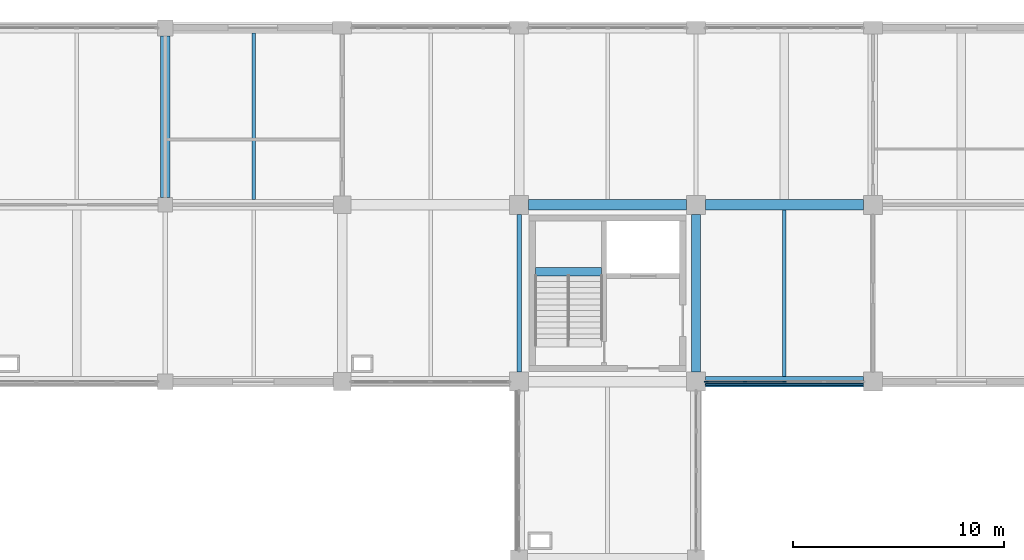
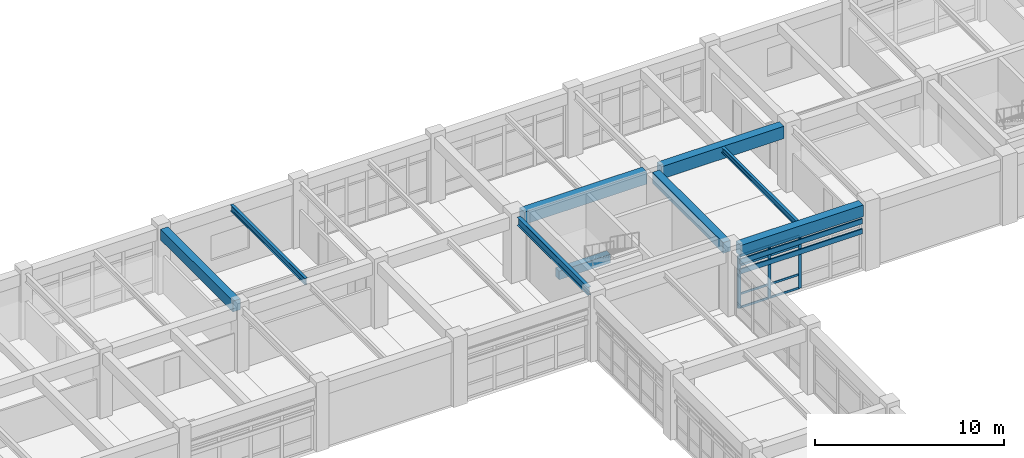
# One storey, part 30 of 99: 13 members, 9 beams, 1 element without a shape of its own.
"""IFC4 building model written with IfcOpenShell, lengths in metres."""

from ifc_helpers import new_model, si_unit, direction, frame, origin, origin_2d, place, context, subcontext, project, spatial, rectangle, i_section, extrude, material, layer, layer_set, material_profile, profile_set, type_object, element, aggregate, save


model = new_model("IFC4")

# Units and contexts
model_context = context("Model", 3, precision=1e-05, world=origin(), true_north=direction((0.0, 1.0)))
body_context = subcontext(model_context, "Body", "Model", "MODEL_VIEW")
ifc_project = project(units=[si_unit("LENGTHUNIT", "METRE"), si_unit("AREAUNIT", "SQUARE_METRE"), si_unit("VOLUMEUNIT", "CUBIC_METRE"), si_unit("PLANEANGLEUNIT", "RADIAN"), si_unit("MASSUNIT", "GRAM", prefix="KILO")], contexts=[model_context])

# Site, building, storey
site_placement = place(None, origin())
site = spatial("IfcSite", under=ifc_project, at=site_placement, CompositionType="ELEMENT")
building_placement = place(site_placement, origin())
building = spatial("IfcBuilding", under=site, at=building_placement, Name="Porcellanite Civic Hall", CompositionType="ELEMENT")
storey_placement = place(building_placement, frame((0.0, 0.0, 5.760009765625)))
storey = spatial("IfcBuildingStorey", under=building, at=storey_placement, Name="L01", CompositionType="ELEMENT", Elevation=5.760009765625)

# Beams
ifc_material_1 = material(Name="Concrete N50 (50 MPa)", Category="concrete")
ifc_material_profile_1 = material_profile(ifc_material_1, rectangle(XDim=0.39990234375, YDim=0.550048828125, at=origin_2d()), Name="RC-400x550")
ifc_profile_set_1 = profile_set([ifc_material_profile_1], Name="Concrete N50 (50 MPa)")
beam_type_1 = type_object("IfcBeamType", Name="BM-RC550", PredefinedType="JOIST", material=ifc_profile_set_1)
beam_1_placement = place(storey_placement, frame((51.180419921875, 106.02490234375, 1.885009765625), z_axis=(1.0, 0.0, 0.0), x_axis=(0.0, 1.0, 0.0)))
element("IfcBeam", 1, at=beam_1_placement, inside=storey, type_object=beam_type_1, Name="Stair landing beam C3 L01", PredefinedType="JOIST", context=body_context, shape_type="SweptSolid", body=[
    extrude(rectangle(XDim=0.39990234375, YDim=0.550048828125, at=origin_2d()), origin(), (0.0, 0.0, 1.0), 3.13916015625),
])
ifc_material_2 = material(Name="Concrete N50 (50 MPa)", Category="concrete")
ifc_material_profile_2 = material_profile(ifc_material_2, rectangle(XDim=0.449951171875, YDim=0.699951171875, at=origin_2d()), Name="RC-450x700")
ifc_profile_set_2 = profile_set([ifc_material_profile_2], Name="Concrete N50 (50 MPa)")
beam_type_2 = type_object("IfcBeamType", Name="BM-RC700", PredefinedType="BEAM", material=ifc_profile_set_2)
beam_2_placement = place(storey_placement, frame((33.60009765625, 109.549560546875, 3.85009765625), z_axis=(0.0, 1.0, 0.0), x_axis=(-1.0, 0.0, 0.0)))
element("IfcBeam", 2, at=beam_2_placement, inside=storey, type_object=beam_type_2, Name="Beam Y L01 5-14", PredefinedType="BEAM", context=body_context, shape_type="SweptSolid", body=[
    extrude(rectangle(XDim=0.449951171875, YDim=0.699951171875, at=origin_2d()), origin(), (0.0, 0.0, 1.0), 7.676025390625),
])
beam_3_placement = place(storey_placement, frame((58.800048828125, 101.24951171875, 3.85009765625), z_axis=(0.0, 1.0, 0.0), x_axis=(-1.0, 0.0, 0.0)))
element("IfcBeam", 3, at=beam_3_placement, inside=storey, type_object=beam_type_2, Name="Beam Y L01 8-13", PredefinedType="BEAM", context=body_context, shape_type="SweptSolid", body=[
    extrude(rectangle(XDim=0.449951171875, YDim=0.699951171875, at=origin_2d()), origin(), (0.0, 0.0, 1.0), 7.5009765625),
])
ifc_material_3 = material(Name="Concrete N50 (50 MPa)", Category="concrete")
ifc_material_profile_3 = material_profile(ifc_material_3, rectangle(XDim=0.5, YDim=0.75, at=origin_2d()), Name="RC-500x750")
ifc_profile_set_3 = profile_set([ifc_material_profile_3], Name="Concrete N50 (50 MPa)")
beam_type_3 = type_object("IfcBeamType", Name="BM-RC750", PredefinedType="SPANDREL", material=ifc_profile_set_3)
beam_4_placement = place(storey_placement, frame((59.24951171875, 100.800048828125, 3.824951171875), z_axis=(1.0, 0.0, 0.0), x_axis=(0.0, 1.0, 0.0)))
element("IfcBeam", 4, at=beam_4_placement, inside=storey, type_object=beam_type_3, Name="Beam X L01 8-13", PredefinedType="SPANDREL", context=body_context, shape_type="SweptSolid", body=[
    extrude(rectangle(XDim=0.5, YDim=0.75, at=origin_2d()), origin(), (0.0, 0.0, 1.0), 7.5009765625),
])
ifc_material_4 = material(Name="Concrete N50 (50 MPa)", Category="concrete")
ifc_material_profile_4 = material_profile(ifc_material_4, rectangle(XDim=0.5, YDim=0.800048828125, at=origin_2d()), Name="RC-500x800")
ifc_profile_set_4 = profile_set([ifc_material_profile_4], Name="Concrete N50 (50 MPa)")
beam_type_4 = type_object("IfcBeamType", Name="BM-RC800", PredefinedType="BEAM", material=ifc_profile_set_4)
for number, where, z_axis, x_axis, name in (
    (5, (50.849609375, 109.199951171875, 3.800048828125), (1.0, 0.0, 0.0), (0.0, 1.0, 0.0), "Beam X L01 7-14"),
    (6, (59.24951171875, 109.199951171875, 3.800048828125), (1.0, 0.0, 0.0), (0.0, 1.0, 0.0), "Beam X L01 8-14"),
):
    element("IfcBeam", number, at=place(storey_placement, frame(where, z_axis=z_axis, x_axis=x_axis)), inside=storey, type_object=beam_type_4, Name=name, PredefinedType="BEAM", context=body_context, shape_type="SweptSolid", body=[
        extrude(rectangle(XDim=0.5, YDim=0.800048828125, at=origin_2d()), origin(), (0.0, 0.0, 1.0), 7.5009765625),
    ])

# Curtain wall, members
ifc_material_5 = material(Name="Anodised aluminium and solar laminated glass", Category="aluminium")
ifc_layer = layer(ifc_material_5, 0.179931640625)
ifc_layer_set = layer_set([ifc_layer], Name="Anodised aluminium and solar laminated glass")
curtain_wall_type = type_object("IfcCurtainWallType", Name="CW-SYS06", PredefinedType="NOTDEFINED", material=ifc_layer_set)
curtain_wall_placement = place(storey_placement, origin())
curtain_wall = element("IfcCurtainWall", 7, at=curtain_wall_placement, inside=storey, type_object=curtain_wall_type, Name="Curtain wall CW-086", PredefinedType="NOTDEFINED")
ifc_material_6 = material(Name="Anodised aluminium 6063-T6", Category="aluminium")
ifc_material_profile_5 = material_profile(ifc_material_6, rectangle(XDim=0.06494140625, YDim=0.179931640625, at=origin_2d()), Name="AL-65x180")
ifc_profile_set_5 = profile_set([ifc_material_profile_5], Name="Anodised aluminium 6063-T6")
member_type_1 = type_object("IfcMemberType", Name="CWM-06", PredefinedType="MULLION", material=ifc_profile_set_5)
member_1_placement = place(storey_placement, frame((63.0, 100.800048828125, 0.0), z_axis=(0.0, 0.0, 1.0), x_axis=(0.0, -1.0, 0.0)))
member_1 = element("IfcMember", 8, at=member_1_placement, type_object=member_type_1, Name="CW-086 mullion 3", PredefinedType="MULLION", context=body_context, shape_type="SweptSolid", body=[
    extrude(rectangle(XDim=0.06494140625, YDim=0.179931640625, at=origin_2d()), origin(), (0.0, 0.0, 1.0), 3.39990234375),
])
member_2_placement = place(storey_placement, frame((61.12548828125, 100.800048828125, 0.0), z_axis=(0.0, 0.0, 1.0), x_axis=(0.0, -1.0, 0.0)))
member_2 = element("IfcMember", 9, at=member_2_placement, type_object=member_type_1, Name="CW-086 mullion 4", PredefinedType="MULLION", context=body_context, shape_type="SweptSolid", body=[
    extrude(rectangle(XDim=0.06494140625, YDim=0.179931640625, at=origin_2d()), origin(), (0.0, 0.0, 1.0), 3.39990234375),
])
member_3_placement = place(storey_placement, frame((59.283447265625, 100.800048828125, 0.0), z_axis=(0.0, 0.0, 1.0), x_axis=(0.0, -1.0, 0.0)))
member_3 = element("IfcMember", 10, at=member_3_placement, type_object=member_type_1, Name="CW-086 mullion 5", PredefinedType="MULLION", context=body_context, shape_type="SweptSolid", body=[
    extrude(rectangle(XDim=0.06494140625, YDim=0.179931640625, at=origin_2d()), origin(), (0.0, 0.0, 1.0), 3.39990234375),
])
ifc_material_7 = material(Name="Anodised aluminium 6063-T6", Category="aluminium")
ifc_material_profile_6 = material_profile(ifc_material_7, rectangle(XDim=0.050048828125, YDim=0.139892578125, at=origin_2d()), Name="AL-50x140")
ifc_profile_set_6 = profile_set([ifc_material_profile_6], Name="Anodised aluminium 6063-T6")
member_type_2 = type_object("IfcMemberType", Name="CWT-06", PredefinedType="USERDEFINED", material=ifc_profile_set_6)
member_4_placement = place(storey_placement, frame((62.967529296875, 100.800048828125, 0.02490234375), z_axis=(-1.0, 0.0, 0.0), x_axis=(0.0, -1.0, 0.0)))
member_4 = element("IfcMember", 11, at=member_4_placement, type_object=member_type_2, Name="CW-086 transom 3.1", ObjectType="TRANSOM", PredefinedType="USERDEFINED", context=body_context, shape_type="SweptSolid", body=[
    extrude(rectangle(XDim=0.050048828125, YDim=0.139892578125, at=origin_2d()), origin(), (0.0, 0.0, 1.0), 1.8095703125),
])
member_5_placement = place(storey_placement, frame((62.967529296875, 100.800048828125, 0.89990234375), z_axis=(-1.0, 0.0, 0.0), x_axis=(0.0, -1.0, 0.0)))
member_5 = element("IfcMember", 12, at=member_5_placement, type_object=member_type_2, Name="CW-086 transom 3.2", ObjectType="TRANSOM", PredefinedType="USERDEFINED", context=body_context, shape_type="SweptSolid", body=[
    extrude(rectangle(XDim=0.050048828125, YDim=0.139892578125, at=origin_2d()), origin(), (0.0, 0.0, 1.0), 1.8095703125),
])
member_6_placement = place(storey_placement, frame((62.967529296875, 100.800048828125, 2.75), z_axis=(-1.0, 0.0, 0.0), x_axis=(0.0, -1.0, 0.0)))
member_6 = element("IfcMember", 13, at=member_6_placement, type_object=member_type_2, Name="CW-086 transom 3.3", ObjectType="TRANSOM", PredefinedType="USERDEFINED", context=body_context, shape_type="SweptSolid", body=[
    extrude(rectangle(XDim=0.050048828125, YDim=0.139892578125, at=origin_2d()), origin(), (0.0, 0.0, 1.0), 1.8095703125),
])
member_7_placement = place(storey_placement, frame((62.967529296875, 100.800048828125, 3.375), z_axis=(-1.0, 0.0, 0.0), x_axis=(0.0, -1.0, 0.0)))
member_7 = element("IfcMember", 14, at=member_7_placement, type_object=member_type_2, Name="CW-086 transom 3.4", ObjectType="TRANSOM", PredefinedType="USERDEFINED", context=body_context, shape_type="SweptSolid", body=[
    extrude(rectangle(XDim=0.050048828125, YDim=0.139892578125, at=origin_2d()), origin(), (0.0, 0.0, 1.0), 1.8095703125),
])
member_8_placement = place(storey_placement, frame((61.093017578125, 100.800048828125, 0.02490234375), z_axis=(-1.0, 0.0, 0.0), x_axis=(0.0, -1.0, 0.0)))
member_8 = element("IfcMember", 15, at=member_8_placement, type_object=member_type_2, Name="CW-086 transom 4.1", ObjectType="TRANSOM", PredefinedType="USERDEFINED", context=body_context, shape_type="SweptSolid", body=[
    extrude(rectangle(XDim=0.050048828125, YDim=0.139892578125, at=origin_2d()), origin(), (0.0, 0.0, 1.0), 1.777099609375),
])
member_9_placement = place(storey_placement, frame((61.093017578125, 100.800048828125, 0.89990234375), z_axis=(-1.0, 0.0, 0.0), x_axis=(0.0, -1.0, 0.0)))
member_9 = element("IfcMember", 16, at=member_9_placement, type_object=member_type_2, Name="CW-086 transom 4.2", ObjectType="TRANSOM", PredefinedType="USERDEFINED", context=body_context, shape_type="SweptSolid", body=[
    extrude(rectangle(XDim=0.050048828125, YDim=0.139892578125, at=origin_2d()), origin(), (0.0, 0.0, 1.0), 1.777099609375),
])
member_10_placement = place(storey_placement, frame((61.093017578125, 100.800048828125, 2.75), z_axis=(-1.0, 0.0, 0.0), x_axis=(0.0, -1.0, 0.0)))
member_10 = element("IfcMember", 17, at=member_10_placement, type_object=member_type_2, Name="CW-086 transom 4.3", ObjectType="TRANSOM", PredefinedType="USERDEFINED", context=body_context, shape_type="SweptSolid", body=[
    extrude(rectangle(XDim=0.050048828125, YDim=0.139892578125, at=origin_2d()), origin(), (0.0, 0.0, 1.0), 1.777099609375),
])
member_11_placement = place(storey_placement, frame((61.093017578125, 100.800048828125, 3.375), z_axis=(-1.0, 0.0, 0.0), x_axis=(0.0, -1.0, 0.0)))
member_11 = element("IfcMember", 18, at=member_11_placement, type_object=member_type_2, Name="CW-086 transom 4.4", ObjectType="TRANSOM", PredefinedType="USERDEFINED", context=body_context, shape_type="SweptSolid", body=[
    extrude(rectangle(XDim=0.050048828125, YDim=0.139892578125, at=origin_2d()), origin(), (0.0, 0.0, 1.0), 1.777099609375),
])
aggregate(curtain_wall, [member_1, member_2, member_3, member_4, member_5, member_6, member_7, member_8, member_9, member_10, member_11])

# Beams
ifc_material_8 = material(Name="Steel Grade 350", Category="steel")
ifc_material_profile_7 = material_profile(ifc_material_8, i_section(OverallWidth=0.1708984375, OverallDepth=0.35595703125, WebThickness=0.00732421875, FlangeThickness=0.011474609375, FilletRadius=0.011474609375, at=origin_2d()), Name="360UB50.7")
ifc_profile_set_7 = profile_set([ifc_material_profile_7], Name="Steel Grade 350")
beam_type_5 = type_object("IfcBeamType", Name="JST-360UB51", PredefinedType="JOIST", material=ifc_profile_set_7)
beam_5_placement = place(storey_placement, frame((63.0, 101.049560546875, 4.02197265625), z_axis=(0.0, 1.0, 0.0), x_axis=(-1.0, 0.0, 0.0)))
element("IfcBeam", 19, at=beam_5_placement, inside=storey, type_object=beam_type_5, Name="Secondary joist L01 8-13", PredefinedType="JOIST", context=body_context, shape_type="SweptSolid", body=[
    extrude(i_section(OverallWidth=0.1708984375, OverallDepth=0.35595703125, WebThickness=0.00732421875, FlangeThickness=0.011474609375, FilletRadius=0.011474609375, at=origin_2d()), origin(), (0.0, 0.0, 1.0), 7.90087890625),
])
ifc_material_9 = material(Name="Steel Grade 350", Category="steel")
ifc_material_profile_8 = material_profile(ifc_material_9, i_section(OverallWidth=0.177978515625, OverallDepth=0.403076171875, WebThickness=0.007568359375, FlangeThickness=0.010986328125, FilletRadius=0.011474609375, at=origin_2d()), Name="410UB53.7")
ifc_profile_set_8 = profile_set([ifc_material_profile_8], Name="Steel Grade 350")
beam_type_6 = type_object("IfcBeamType", Name="JST-410UB54", PredefinedType="JOIST", material=ifc_profile_set_8)
beam_6_placement = place(storey_placement, frame((37.800048828125, 109.449462890625, 3.99853515625), z_axis=(0.0, 1.0, 0.0), x_axis=(-1.0, 0.0, 0.0)))
element("IfcBeam", 20, at=beam_6_placement, inside=storey, type_object=beam_type_6, Name="Secondary joist L01 5-14", PredefinedType="JOIST", context=body_context, shape_type="SweptSolid", body=[
    extrude(i_section(OverallWidth=0.177978515625, OverallDepth=0.403076171875, WebThickness=0.007568359375, FlangeThickness=0.010986328125, FilletRadius=0.011474609375, at=origin_2d()), origin(), (0.0, 0.0, 1.0), 7.901123046875),
])

# Members
ifc_material_10 = material(Name="Fluoropolymer bauxite-red aluminium 6063-T6", Category="aluminium")
ifc_material_profile_9 = material_profile(ifc_material_10, rectangle(XDim=0.080078125, YDim=0.320068359375, at=origin_2d()), Name="AL-80x320")
ifc_profile_set_9 = profile_set([ifc_material_profile_9], Name="Fluoropolymer bauxite-red aluminium 6063-T6")
member_type_3 = type_object("IfcMemberType", Name="LV-BLD03", PredefinedType="USERDEFINED", material=ifc_profile_set_9)
for number, where, z_axis, x_axis, name in (
    (21, (66.75048828125, 100.66796875, 3.10009765625), (-1.0, 0.0, 0.0), (0.0, -1.0, 0.0), "Cyclone sunshade louvre L01 S 7-12 1"),
    (22, (66.75048828125, 100.66796875, 2.449951171875), (-1.0, 0.0, 0.0), (0.0, -1.0, 0.0), "Cyclone sunshade louvre L01 S 7-12 2"),
):
    element("IfcMember", number, at=place(storey_placement, frame(where, z_axis=z_axis, x_axis=x_axis)), inside=storey, type_object=member_type_3, Name=name, ObjectType="LOUVRE BLADE", PredefinedType="USERDEFINED", context=body_context, shape_type="SweptSolid", body=[
        extrude(rectangle(XDim=0.080078125, YDim=0.320068359375, at=origin_2d()), origin(), (0.0, 0.0, 1.0), 7.5009765625),
    ])

# Beam
ifc_material_11 = material(Name="Steel Grade 350", Category="steel")
ifc_material_profile_10 = material_profile(ifc_material_11, i_section(OverallWidth=0.208984375, OverallDepth=0.528076171875, WebThickness=0.009521484375, FlangeThickness=0.01318359375, FilletRadius=0.013916015625, at=origin_2d()), Name="530UB82.0")
ifc_profile_set_10 = profile_set([ifc_material_profile_10], Name="Steel Grade 350")
beam_type_7 = type_object("IfcBeamType", Name="RAF-530UB82", PredefinedType="BEAM", material=ifc_profile_set_10)
beam_7_placement = place(storey_placement, frame((50.39990234375, 101.24951171875, 3.93603515625), z_axis=(0.0, 1.0, 0.0), x_axis=(-1.0, 0.0, 0.0)))
element("IfcBeam", 23, at=beam_7_placement, inside=storey, type_object=beam_type_7, Name="Beam Y L01 7-13", PredefinedType="BEAM", context=body_context, shape_type="SweptSolid", body=[
    extrude(i_section(OverallWidth=0.208984375, OverallDepth=0.528076171875, WebThickness=0.009521484375, FlangeThickness=0.01318359375, FilletRadius=0.013916015625, at=origin_2d()), origin(), (0.0, 0.0, 1.0), 7.5009765625),
])

save(model, "model.ifc")
